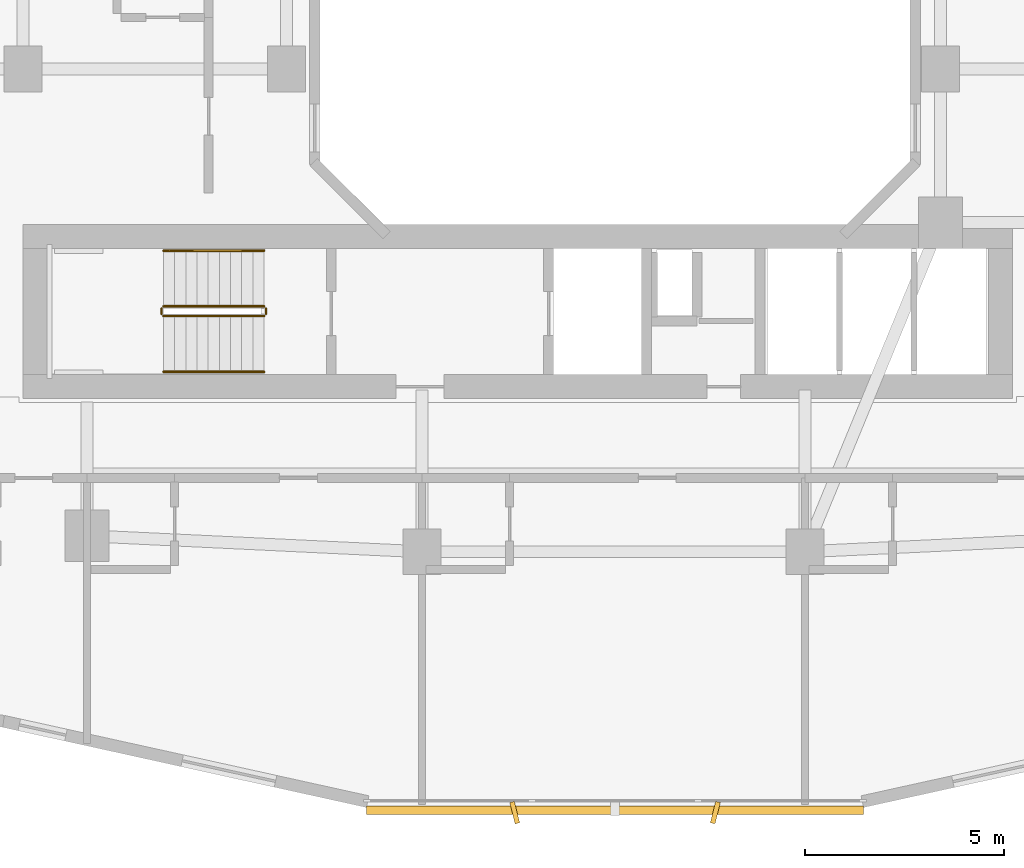
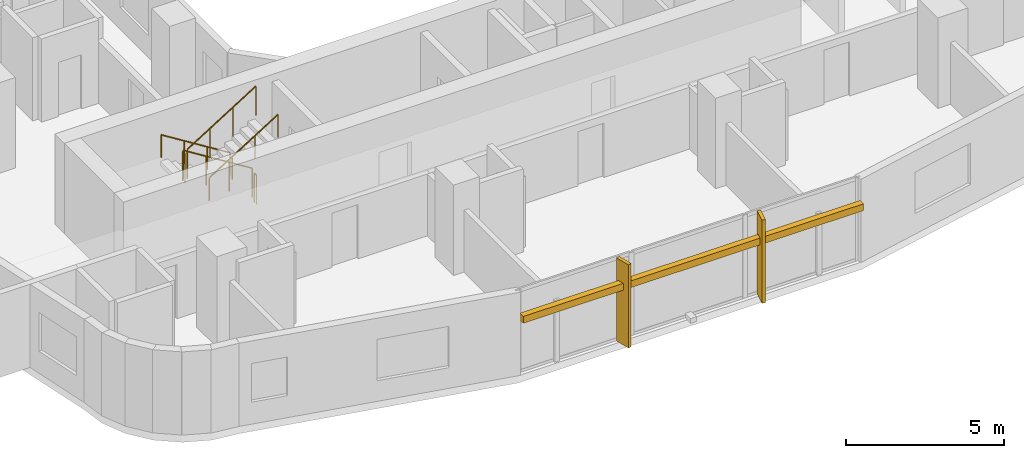
# One storey, part 23 of 27: 6 railings, 3 shading devices.
"""IFC4 building model written with IfcOpenShell, lengths in metres."""

from ifc_helpers import new_model, si_unit, derived_unit, direction, frame, origin, origin_2d, place, context, subcontext, project, spatial, rectangle, circle, extrude, material, type_object, element, save


model = new_model("IFC4")

# Units and contexts
model_context = context("Model", 3, precision=1e-05, world=origin(), true_north=direction((0.0, 1.0)))
body_context = subcontext(model_context, "Body", "Model", "MODEL_VIEW")
ifc_project = project(units=[si_unit("LENGTHUNIT", "METRE"), si_unit("AREAUNIT", "SQUARE_METRE"), si_unit("VOLUMEUNIT", "CUBIC_METRE"), si_unit("PLANEANGLEUNIT", "RADIAN"), si_unit("MASSUNIT", "GRAM", prefix="KILO"), derived_unit("THERMALTRANSMITTANCEUNIT", [(si_unit("POWERUNIT", "WATT"), 1), (si_unit("LENGTHUNIT", "METRE"), -2), (si_unit("THERMODYNAMICTEMPERATUREUNIT", "KELVIN"), -1)])], contexts=[model_context])

# Site, building, storey
site_placement = place(None, origin())
site = spatial("IfcSite", under=ifc_project, at=site_placement, CompositionType="ELEMENT")
building_placement = place(site_placement, origin())
building = spatial("IfcBuilding", under=site, at=building_placement, Name="Kivonza Crest Hotel", CompositionType="ELEMENT")
storey_placement = place(building_placement, frame((0.0, 0.0, 31.0)))
storey = spatial("IfcBuildingStorey", under=building, at=storey_placement, Name="L07", CompositionType="ELEMENT", Elevation=31.0)

# Railings
ifc_material_1 = material(Name="Brushed stainless steel handrail", Category="steel")
railing_type_1 = type_object("IfcRailingType", Name="RL-HAND-900", PredefinedType="HANDRAIL", material=ifc_material_1)
railing_1_placement = place(storey_placement, frame((12.239990234375, 16.949951171875, 0.175048828125)))
element("IfcRailing", 1, at=railing_1_placement, inside=storey, type_object=railing_type_1, Name="L07 ST-T1-S stair handrail 1", PredefinedType="HANDRAIL", context=body_context, shape_type="SweptSolid", body=[
    extrude(circle(Radius=0.02392578125, at=origin_2d()), frame((0.0, 0.0, 0.8759765625), z_axis=(-0.848007534815, 0.0, 0.529984170421), x_axis=(0.0, -1.0, 0.0)), (0.0, 0.0, 1.0), 2.9716796875),
    extrude(circle(Radius=0.02099609375, at=origin_2d()), origin(), (0.0, 0.0, 1.0), 0.851806640625),
    extrude(circle(Radius=0.02099609375, at=origin_2d()), frame((-0.840087890625, 0.0, 0.52490234375)), (0.0, 0.0, 1.0), 0.851806640625),
    extrude(circle(Radius=0.02099609375, at=origin_2d()), frame((-1.679931640625, 0.0, 1.050048828125)), (0.0, 0.0, 1.0), 0.851806640625),
    extrude(circle(Radius=0.02099609375, at=origin_2d()), frame((-2.52001953125, 0.0, 1.574951171875)), (0.0, 0.0, 1.0), 0.851806640625),
])
railing_2_placement = place(storey_placement, frame((9.719970703125, 13.909912109375, 1.925048828125)))
element("IfcRailing", 2, at=railing_2_placement, inside=storey, type_object=railing_type_1, Name="L07 ST-T1-S stair handrail 2", PredefinedType="HANDRAIL", context=body_context, shape_type="SweptSolid", body=[
    extrude(circle(Radius=0.02392578125, at=origin_2d()), frame((0.0, 0.0, 0.8759765625), z_axis=(0.848007534815, 0.0, 0.529984170421), x_axis=(0.0, 1.0, 0.0)), (0.0, 0.0, 1.0), 2.9716796875),
    extrude(circle(Radius=0.02099609375, at=origin_2d()), origin(), (0.0, 0.0, 1.0), 0.851806640625),
    extrude(circle(Radius=0.02099609375, at=origin_2d()), frame((0.840087890625, 0.0, 0.52490234375)), (0.0, 0.0, 1.0), 0.851806640625),
    extrude(circle(Radius=0.02099609375, at=origin_2d()), frame((1.679931640625, 0.0, 1.050048828125)), (0.0, 0.0, 1.0), 0.851806640625),
    extrude(circle(Radius=0.02099609375, at=origin_2d()), frame((2.52001953125, 0.0, 1.574951171875)), (0.0, 0.0, 1.0), 0.851806640625),
])
ifc_material_2 = material(Name="Painted steel balustrade", Category="steel")
railing_type_2 = type_object("IfcRailingType", Name="RL-STAIR-1150", PredefinedType="BALUSTRADE", material=ifc_material_2)
railing_3_placement = place(storey_placement, frame((12.239990234375, 15.550048828125, 0.175048828125)))
element("IfcRailing", 3, at=railing_3_placement, inside=storey, type_object=railing_type_2, Name="L07 ST-T1-S stair guard 1", PredefinedType="BALUSTRADE", context=body_context, shape_type="SweptSolid", body=[
    extrude(circle(Radius=0.02392578125, at=origin_2d()), frame((0.0, 0.0, 1.1259765625), z_axis=(-0.848007534815, 0.0, 0.529984170421), x_axis=(0.0, -1.0, 0.0)), (0.0, 0.0, 1.0), 2.9716796875),
    extrude(circle(Radius=0.02099609375, at=origin_2d()), origin(), (0.0, 0.0, 1.0), 1.101806640625),
    extrude(circle(Radius=0.02099609375, at=origin_2d()), frame((-0.840087890625, 0.0, 0.52490234375)), (0.0, 0.0, 1.0), 1.101806640625),
    extrude(circle(Radius=0.02099609375, at=origin_2d()), frame((-1.679931640625, 0.0, 1.050048828125)), (0.0, 0.0, 1.0), 1.101806640625),
    extrude(circle(Radius=0.02099609375, at=origin_2d()), frame((-2.52001953125, 0.0, 1.574951171875)), (0.0, 0.0, 1.0), 1.101806640625),
])
railing_4_placement = place(storey_placement, frame((9.669921875, 15.5, 1.75)))
element("IfcRailing", 4, at=railing_4_placement, inside=storey, type_object=railing_type_2, Name="L07 ST-T1-S stair guard 2", PredefinedType="BALUSTRADE", context=body_context, shape_type="SweptSolid", body=[
    extrude(circle(Radius=0.02392578125, at=origin_2d()), frame((0.0, 0.0, 1.1259765625), z_axis=(0.0, -1.0, 0.0), x_axis=(1.0, 0.0, 0.0)), (0.0, 0.0, 1.0), 0.139892578125),
    extrude(circle(Radius=0.02099609375, at=origin_2d()), origin(), (0.0, 0.0, 1.0), 1.101806640625),
    extrude(circle(Radius=0.02099609375, at=origin_2d()), frame((0.0, -0.139892578125, 0.0)), (0.0, 0.0, 1.0), 1.101806640625),
])
railing_5_placement = place(storey_placement, frame((9.719970703125, 15.31005859375, 1.925048828125)))
element("IfcRailing", 5, at=railing_5_placement, inside=storey, type_object=railing_type_2, Name="L07 ST-T1-S stair guard 3", PredefinedType="BALUSTRADE", context=body_context, shape_type="SweptSolid", body=[
    extrude(circle(Radius=0.02392578125, at=origin_2d()), frame((0.0, 0.0, 1.1259765625), z_axis=(0.848007534815, 0.0, 0.529984170421), x_axis=(0.0, 1.0, 0.0)), (0.0, 0.0, 1.0), 2.9716796875),
    extrude(circle(Radius=0.02099609375, at=origin_2d()), origin(), (0.0, 0.0, 1.0), 1.101806640625),
    extrude(circle(Radius=0.02099609375, at=origin_2d()), frame((0.840087890625, 0.0, 0.52490234375)), (0.0, 0.0, 1.0), 1.101806640625),
    extrude(circle(Radius=0.02099609375, at=origin_2d()), frame((1.679931640625, 0.0, 1.050048828125)), (0.0, 0.0, 1.0), 1.101806640625),
    extrude(circle(Radius=0.02099609375, at=origin_2d()), frame((2.52001953125, 0.0, 1.574951171875)), (0.0, 0.0, 1.0), 1.101806640625),
])
railing_6_placement = place(storey_placement, frame((12.2900390625, 15.5, 0.0)))
element("IfcRailing", 6, at=railing_6_placement, inside=storey, type_object=railing_type_2, Name="L07 ST-T1-S stair guard 4", PredefinedType="BALUSTRADE", context=body_context, shape_type="SweptSolid", body=[
    extrude(circle(Radius=0.02392578125, at=origin_2d()), frame((0.0, 0.0, 1.1259765625), z_axis=(0.0, -1.0, 0.0), x_axis=(1.0, 0.0, 0.0)), (0.0, 0.0, 1.0), 0.139892578125),
    extrude(circle(Radius=0.02099609375, at=origin_2d()), origin(), (0.0, 0.0, 1.0), 1.101806640625),
    extrude(circle(Radius=0.02099609375, at=origin_2d()), frame((0.0, -0.139892578125, 0.0)), (0.0, 0.0, 1.0), 1.101806640625),
])

# Shading devices
ifc_material_3 = material(Name="Kiln-fired Nairobi red-ochre terracotta", Category="masonry")
shading_device_type_1 = type_object("IfcShadingDeviceType", Name="SH-BAGUETTE-300", PredefinedType="USERDEFINED", material=ifc_material_3)
shading_device_placement = place(storey_placement, frame((21.0400390625, 2.919921875, 2.1240234375), z_axis=(0.0, 0.0, 1.0), x_axis=(1.0, 0.0, 0.0)))
element("IfcShadingDevice", 7, at=shading_device_placement, inside=storey, type_object=shading_device_type_1, Name="L07 terracotta baguette screen CW-T1-L07-08", ObjectType="BAGUETTE", PredefinedType="USERDEFINED", context=body_context, shape_type="SweptSolid", body=[
    extrude(rectangle(XDim=12.4560546875, YDim=0.219970703125, at=origin_2d()), origin(), (0.0, 0.0, 1.0), 0.260009765625),
])
ifc_material_4 = material(Name="Kiln-fired terracotta over extruded aluminium spine", Category="masonry")
shading_device_type_2 = type_object("IfcShadingDeviceType", Name="SH-FIN-550", PredefinedType="USERDEFINED", material=ifc_material_4)
for number, where, z_axis, x_axis, name in (
    (8, (18.52490234375, 2.860107421875, 0.0), (0.0, 0.0, 1.0), (0.970295726276, 0.2419218956, 0.0), "L07 vertical solar shading fin CW-T1-L07-08-1"),
    (9, (23.554931640625, 2.860107421875, 0.0), (0.0, 0.0, 1.0), (0.970295726276, -0.2419218956, 0.0), "L07 vertical solar shading fin CW-T1-L07-08-2"),
):
    element("IfcShadingDevice", number, at=place(storey_placement, frame(where, z_axis=z_axis, x_axis=x_axis)), inside=storey, type_object=shading_device_type_2, Name=name, ObjectType="FIN", PredefinedType="USERDEFINED", context=body_context, shape_type="SweptSolid", body=[
        extrude(rectangle(XDim=0.1201171875, YDim=0.550048828125, at=origin_2d()), origin(), (0.0, 0.0, 1.0), 3.219970703125),
    ])

save(model, "model.ifc")
